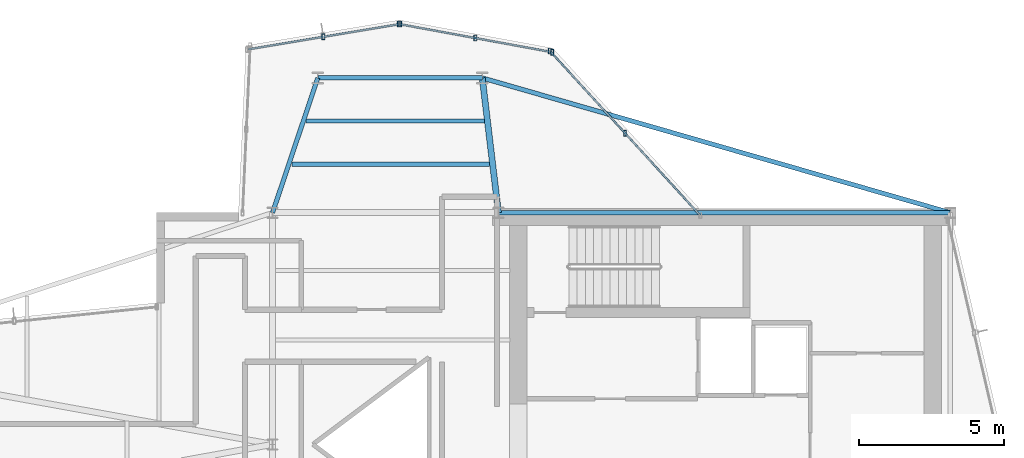
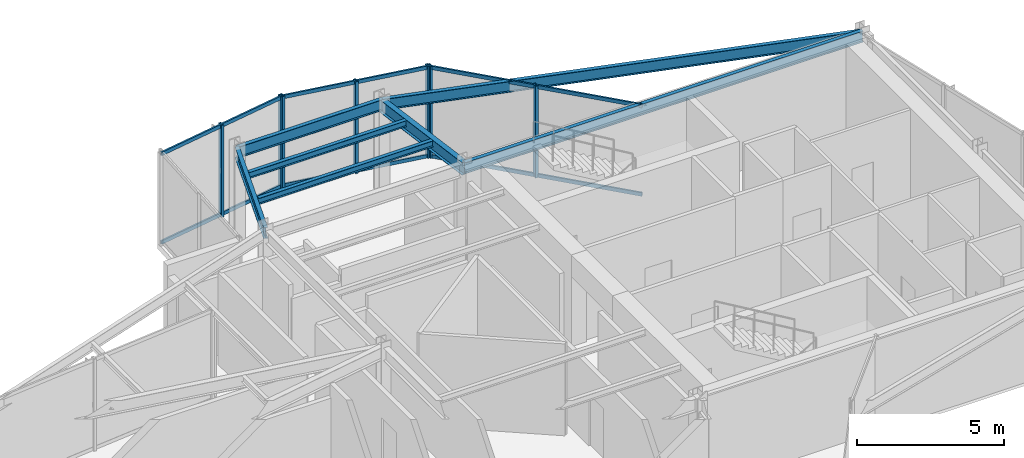
# One storey, part 6 of 14: 13 members, 7 beams, 3 elements without a shape of their own.
"""IFC4 building model written with IfcOpenShell, lengths in metres."""

from ifc_helpers import new_model, si_unit, direction, frame, origin, origin_2d, place, context, subcontext, project, spatial, hollow_rectangle, i_section, extrude, material, layer, layer_set, material_profile, profile_set, type_object, element, aggregate, save


model = new_model("IFC4")

# Units and contexts
model_context = context("Model", 3, precision=1e-05, world=origin(), true_north=direction((0.0, 1.0)))
body_context = subcontext(model_context, "Body", "Model", "MODEL_VIEW")
ifc_project = project(units=[si_unit("LENGTHUNIT", "METRE"), si_unit("AREAUNIT", "SQUARE_METRE"), si_unit("VOLUMEUNIT", "CUBIC_METRE"), si_unit("PLANEANGLEUNIT", "RADIAN"), si_unit("MASSUNIT", "GRAM", prefix="KILO")], contexts=[model_context])

# Site, building, storey
site_placement = place(None, origin())
site = spatial("IfcSite", under=ifc_project, at=site_placement, CompositionType="ELEMENT")
building_placement = place(site_placement, origin())
building = spatial("IfcBuilding", under=site, at=building_placement, Name="Veymaron Broadcast Tower", CompositionType="ELEMENT")
storey_placement = place(building_placement, frame((0.0, 0.0, 283.050048828125)))
storey = spatial("IfcBuildingStorey", under=building, at=storey_placement, Name="L66", CompositionType="ELEMENT", Elevation=283.050048828125)

# Beams
ifc_material_1 = material(Name="Structural steel ASTM A992 Gr 50", Category="steel")
ifc_material_profile_1 = material_profile(ifc_material_1, i_section(OverallWidth=0.208984375, OverallDepth=0.528076171875, WebThickness=0.009521484375, FlangeThickness=0.01318359375, at=origin_2d()), Name="W530X82")
ifc_profile_set_1 = profile_set([ifc_material_profile_1], Name="Structural steel ASTM A992 Gr 50")
beam_type_1 = type_object("IfcBeamType", Name="BM-FG4", PredefinedType="BEAM", material=ifc_profile_set_1)
beam_1_placement = place(storey_placement, frame((39.0, 32.0, 3.5458984375), z_axis=(-0.119114400744, 0.992880536387, 0.0), x_axis=(-0.992880536387, -0.119114400744, 0.0)))
element("IfcBeam", 1, at=beam_1_placement, inside=storey, type_object=beam_type_1, Name="L66 primary structural floor girder", PredefinedType="BEAM", context=body_context, shape_type="SweptSolid", body=[
    extrude(i_section(OverallWidth=0.208984375, OverallDepth=0.528076171875, WebThickness=0.009521484375, FlangeThickness=0.01318359375, at=origin_2d()), origin(), (0.0, 0.0, 1.0), 4.685546875),
])
ifc_material_profile_2 = material_profile(ifc_material_1, i_section(OverallWidth=0.14599609375, OverallDepth=0.258056640625, WebThickness=0.006103515625, FlangeThickness=0.009033203125, at=origin_2d()), Name="W250X33")
ifc_profile_set_2 = profile_set([ifc_material_profile_2], Name="Structural steel ASTM A992 Gr 50")
beam_type_2 = type_object("IfcBeamType", Name="BM-JS4", PredefinedType="JOIST", material=ifc_profile_set_2)
beam_2_placement = place(storey_placement, frame((31.862548828125, 33.6748046875, 3.680908203125), z_axis=(1.0, 0.0, 0.0), x_axis=(0.0, 1.0, 0.0)))
element("IfcBeam", 2, at=beam_2_placement, inside=storey, type_object=beam_type_2, Name="L66 Arm-B secondary joist 1", PredefinedType="JOIST", context=body_context, shape_type="SweptSolid", body=[
    extrude(i_section(OverallWidth=0.14599609375, OverallDepth=0.258056640625, WebThickness=0.006103515625, FlangeThickness=0.009033203125, at=origin_2d()), origin(), (0.0, 0.0, 1.0), 6.836669921875),
])
beam_3_placement = place(storey_placement, frame((32.3623046875, 35.163330078125, 3.680908203125), z_axis=(1.0, 0.0, 0.0), x_axis=(0.0, 1.0, 0.0)))
element("IfcBeam", 3, at=beam_3_placement, inside=storey, type_object=beam_type_2, Name="L66 Arm-B secondary joist 2", PredefinedType="JOIST", context=body_context, shape_type="SweptSolid", body=[
    extrude(i_section(OverallWidth=0.14599609375, OverallDepth=0.258056640625, WebThickness=0.006103515625, FlangeThickness=0.009033203125, at=origin_2d()), origin(), (0.0, 0.0, 1.0), 6.158203125),
])
ifc_material_profile_3 = material_profile(ifc_material_1, i_section(OverallWidth=0.154052734375, OverallDepth=0.458984375, WebThickness=0.009033203125, FlangeThickness=0.015380859375, at=origin_2d()), Name="W460X68")
ifc_profile_set_3 = profile_set([ifc_material_profile_3], Name="Structural steel ASTM A992 Gr 50")
beam_type_3 = type_object("IfcBeamType", Name="BM-SP2", PredefinedType="SPANDREL", material=ifc_profile_set_3)
beam_4_placement = place(storey_placement, frame((39.0, 32.0, 3.58056640625), z_axis=(1.0, 0.0, 0.0), x_axis=(0.0, 1.0, 0.0)))
element("IfcBeam", 4, at=beam_4_placement, inside=storey, type_object=beam_type_3, Name="L66 primary structural floor girder", PredefinedType="SPANDREL", context=body_context, shape_type="SweptSolid", body=[
    extrude(i_section(OverallWidth=0.154052734375, OverallDepth=0.458984375, WebThickness=0.009033203125, FlangeThickness=0.015380859375, at=origin_2d()), origin(), (0.0, 0.0, 1.0), 15.60009765625),
])
beam_5_placement = place(storey_placement, frame((31.199951171875, 32.0, 3.58056640625), z_axis=(0.318391007143, 0.947959475173, 0.0), x_axis=(-0.947959475173, 0.318391007143, 0.0)))
element("IfcBeam", 5, at=beam_5_placement, inside=storey, type_object=beam_type_3, Name="L66 primary structural floor girder", PredefinedType="SPANDREL", context=body_context, shape_type="SweptSolid", body=[
    extrude(i_section(OverallWidth=0.154052734375, OverallDepth=0.458984375, WebThickness=0.009033203125, FlangeThickness=0.015380859375, at=origin_2d()), origin(), (0.0, 0.0, 1.0), 4.907470703125),
])
beam_6_placement = place(storey_placement, frame((54.60009765625, 32.0, 3.58056640625), z_axis=(-0.960964746108, 0.276670845478, 0.0), x_axis=(-0.276670845478, -0.960964746108, 0.0)))
element("IfcBeam", 6, at=beam_6_placement, inside=storey, type_object=beam_type_3, Name="L66 primary structural floor girder", PredefinedType="SPANDREL", context=body_context, shape_type="SweptSolid", body=[
    extrude(i_section(OverallWidth=0.154052734375, OverallDepth=0.458984375, WebThickness=0.009033203125, FlangeThickness=0.015380859375, at=origin_2d()), origin(), (0.0, 0.0, 1.0), 16.814453125),
])
beam_7_placement = place(storey_placement, frame((32.762451171875, 36.652099609375, 3.58056640625), z_axis=(1.0, 0.0, 0.0), x_axis=(0.0, 1.0, 0.0)))
element("IfcBeam", 7, at=beam_7_placement, inside=storey, type_object=beam_type_3, Name="L66 primary structural floor girder", PredefinedType="SPANDREL", context=body_context, shape_type="SweptSolid", body=[
    extrude(i_section(OverallWidth=0.154052734375, OverallDepth=0.458984375, WebThickness=0.009033203125, FlangeThickness=0.015380859375, at=origin_2d()), origin(), (0.0, 0.0, 1.0), 5.679443359375),
])

# Curtain wall, members
ifc_material_2 = material(Name="Anodised aluminium AA 6063-T6 and laminated low-E dark glass", Category="aluminium")
ifc_layer = layer(ifc_material_2, 0.179931640625)
ifc_layer_set = layer_set([ifc_layer], Name="Anodised aluminium AA 6063-T6 and laminated low-E dark glass")
curtain_wall_type = type_object("IfcCurtainWallType", Name="CW-SYS-06", PredefinedType="NOTDEFINED", material=ifc_layer_set)
curtain_wall_1_placement = place(storey_placement, origin())
curtain_wall_1 = element("IfcCurtainWall", 8, at=curtain_wall_1_placement, inside=storey, type_object=curtain_wall_type, Name="L66 dark-glass curtain wall CW-L66-E5-1", PredefinedType="NOTDEFINED")
ifc_material_3 = material(Name="Anodised aluminium AA 6063-T6", Category="aluminium")
ifc_material_profile_4 = material_profile(ifc_material_3, hollow_rectangle(XDim=0.10009765625, YDim=0.199951171875, WallThickness=0.010009765625, at=origin_2d()), Name="RHS200X100X10")
ifc_profile_set_4 = profile_set([ifc_material_profile_4], Name="Anodised aluminium AA 6063-T6")
member_type_1 = type_object("IfcMemberType", Name="CW-MUL-01", PredefinedType="MULLION", material=ifc_profile_set_4)
member_1_placement = place(storey_placement, frame((43.3701171875, 34.74609375, 0.0), z_axis=(0.0, 0.0, 1.0), x_axis=(1.0, 0.0, 0.0)))
member_1 = element("IfcMember", 9, at=member_1_placement, type_object=member_type_1, Name="CW-L66-E5-1 mullion 1", PredefinedType="MULLION", context=body_context, shape_type="SweptSolid", body=[
    extrude(hollow_rectangle(XDim=0.10009765625, YDim=0.199951171875, WallThickness=0.010009765625, at=origin_2d()), origin(), (0.0, 0.0, 1.0), 3.81005859375),
])
member_2_placement = place(storey_placement, frame((40.7744140625, 37.58642578125, 0.0), z_axis=(0.0, 0.0, 1.0), x_axis=(1.0, 0.0, 0.0)))
member_2 = element("IfcMember", 10, at=member_2_placement, type_object=member_type_1, Name="CW-L66-E5-1 mullion 2", PredefinedType="MULLION", context=body_context, shape_type="SweptSolid", body=[
    extrude(hollow_rectangle(XDim=0.10009765625, YDim=0.199951171875, WallThickness=0.010009765625, at=origin_2d()), origin(), (0.0, 0.0, 1.0), 3.81005859375),
])

curtain_wall_2_placement = place(storey_placement, origin())
curtain_wall_2 = element("IfcCurtainWall", 11, at=curtain_wall_2_placement, inside=storey, type_object=curtain_wall_type, Name="L66 dark-glass curtain wall CW-L66-E6-1", PredefinedType="NOTDEFINED")
member_3_placement = place(storey_placement, frame((40.852294921875, 37.543212890625, 0.0), z_axis=(0.0, 0.0, 1.0), x_axis=(1.0, 0.0, 0.0)))
member_3 = element("IfcMember", 12, at=member_3_placement, type_object=member_type_1, Name="CW-L66-E6-1 mullion 0", PredefinedType="MULLION", context=body_context, shape_type="SweptSolid", body=[
    extrude(hollow_rectangle(XDim=0.10009765625, YDim=0.199951171875, WallThickness=0.010009765625, at=origin_2d()), origin(), (0.0, 0.0, 1.0), 3.81005859375),
])
member_4_placement = place(storey_placement, frame((38.2041015625, 38.029296875, 0.0), z_axis=(0.0, 0.0, 1.0), x_axis=(1.0, 0.0, 0.0)))
member_4 = element("IfcMember", 13, at=member_4_placement, type_object=member_type_1, Name="CW-L66-E6-1 mullion 1", PredefinedType="MULLION", context=body_context, shape_type="SweptSolid", body=[
    extrude(hollow_rectangle(XDim=0.10009765625, YDim=0.199951171875, WallThickness=0.010009765625, at=origin_2d()), origin(), (0.0, 0.0, 1.0), 3.81005859375),
])
member_5_placement = place(storey_placement, frame((35.555908203125, 38.515380859375, 0.0), z_axis=(0.0, 0.0, 1.0), x_axis=(1.0, 0.0, 0.0)))
member_5 = element("IfcMember", 14, at=member_5_placement, type_object=member_type_1, Name="CW-L66-E6-1 mullion 2", PredefinedType="MULLION", context=body_context, shape_type="SweptSolid", body=[
    extrude(hollow_rectangle(XDim=0.10009765625, YDim=0.199951171875, WallThickness=0.010009765625, at=origin_2d()), origin(), (0.0, 0.0, 1.0), 3.81005859375),
])

curtain_wall_3_placement = place(storey_placement, origin())
curtain_wall_3 = element("IfcCurtainWall", 15, at=curtain_wall_3_placement, inside=storey, type_object=curtain_wall_type, Name="L66 dark-glass curtain wall CW-L66-E7-1", PredefinedType="NOTDEFINED")
member_6_placement = place(storey_placement, frame((35.604248046875, 38.51513671875, 0.0), z_axis=(0.0, 0.0, 1.0), x_axis=(1.0, 0.0, 0.0)))
member_6 = element("IfcMember", 16, at=member_6_placement, type_object=member_type_1, Name="CW-L66-E7-1 mullion 0", PredefinedType="MULLION", context=body_context, shape_type="SweptSolid", body=[
    extrude(hollow_rectangle(XDim=0.10009765625, YDim=0.199951171875, WallThickness=0.010009765625, at=origin_2d()), origin(), (0.0, 0.0, 1.0), 3.81005859375),
])
member_7_placement = place(storey_placement, frame((32.9560546875, 38.072998046875, 0.0), z_axis=(0.0, 0.0, 1.0), x_axis=(1.0, 0.0, 0.0)))
member_7 = element("IfcMember", 17, at=member_7_placement, type_object=member_type_1, Name="CW-L66-E7-1 mullion 1", PredefinedType="MULLION", context=body_context, shape_type="SweptSolid", body=[
    extrude(hollow_rectangle(XDim=0.10009765625, YDim=0.199951171875, WallThickness=0.010009765625, at=origin_2d()), origin(), (0.0, 0.0, 1.0), 3.81005859375),
])

# Member
ifc_material_profile_5 = material_profile(ifc_material_3, hollow_rectangle(XDim=0.06494140625, YDim=0.14990234375, WallThickness=0.00390625, at=origin_2d()), Name="AL150X65X4")
ifc_profile_set_5 = profile_set([ifc_material_profile_5], Name="Anodised aluminium AA 6063-T6")
member_type_2 = type_object("IfcMemberType", Name="CW-TRN-01", PredefinedType="USERDEFINED", material=ifc_profile_set_5)
member_8_placement = place(storey_placement, frame((45.931884765625, 31.9423828125, 0.070068359375), z_axis=(-0.674569589879, 0.738211262722, 0.0), x_axis=(-0.738211262722, -0.674569589879, 0.0)))
member_8 = element("IfcMember", 18, at=member_8_placement, type_object=member_type_2, Name="CW-L66-E5-1 transom B", ObjectType="TRANSOM", PredefinedType="USERDEFINED", context=body_context, shape_type="SweptSolid", body=[
    extrude(hollow_rectangle(XDim=0.06494140625, YDim=0.14990234375, WallThickness=0.00390625, at=origin_2d()), origin(), (0.0, 0.0, 1.0), 7.595703125),
])

member_9_placement = place(storey_placement, frame((45.931884765625, 31.9423828125, 3.739990234375), z_axis=(-0.674569589879, 0.738211262722, 0.0), x_axis=(-0.738211262722, -0.674569589879, 0.0)))
member_9 = element("IfcMember", 19, at=member_9_placement, type_object=member_type_2, Name="CW-L66-E5-1 transom T", ObjectType="TRANSOM", PredefinedType="USERDEFINED", context=body_context, shape_type="SweptSolid", body=[
    extrude(hollow_rectangle(XDim=0.06494140625, YDim=0.14990234375, WallThickness=0.00390625, at=origin_2d()), origin(), (0.0, 0.0, 1.0), 7.595703125),
])

aggregate(curtain_wall_1, [member_1, member_2, member_8, member_9])

member_10_placement = place(storey_placement, frame((40.802978515625, 37.552001953125, 0.070068359375), z_axis=(-0.983552023681, 0.180625072218, 0.0), x_axis=(-0.180625072218, -0.983552023681, 0.0)))
member_10 = element("IfcMember", 20, at=member_10_placement, type_object=member_type_2, Name="CW-L66-E6-1 transom B", ObjectType="TRANSOM", PredefinedType="USERDEFINED", context=body_context, shape_type="SweptSolid", body=[
    extrude(hollow_rectangle(XDim=0.06494140625, YDim=0.14990234375, WallThickness=0.00390625, at=origin_2d()), origin(), (0.0, 0.0, 1.0), 5.284912109375),
])

member_11_placement = place(storey_placement, frame((40.802978515625, 37.552001953125, 3.739990234375), z_axis=(-0.983552023681, 0.180625072218, 0.0), x_axis=(-0.180625072218, -0.983552023681, 0.0)))
member_11 = element("IfcMember", 21, at=member_11_placement, type_object=member_type_2, Name="CW-L66-E6-1 transom T", ObjectType="TRANSOM", PredefinedType="USERDEFINED", context=body_context, shape_type="SweptSolid", body=[
    extrude(hollow_rectangle(XDim=0.06494140625, YDim=0.14990234375, WallThickness=0.00390625, at=origin_2d()), origin(), (0.0, 0.0, 1.0), 5.284912109375),
])

aggregate(curtain_wall_2, [member_3, member_4, member_5, member_10, member_11])

member_12_placement = place(storey_placement, frame((35.554931640625, 38.5068359375, 0.070068359375), z_axis=(-0.986358841104, -0.164609345347, 0.0), x_axis=(0.164609345347, -0.986358841104, 0.0)))
member_12 = element("IfcMember", 22, at=member_12_placement, type_object=member_type_2, Name="CW-L66-E7-1 transom B", ObjectType="TRANSOM", PredefinedType="USERDEFINED", context=body_context, shape_type="SweptSolid", body=[
    extrude(hollow_rectangle(XDim=0.06494140625, YDim=0.14990234375, WallThickness=0.00390625, at=origin_2d()), origin(), (0.0, 0.0, 1.0), 5.26953125),
])

member_13_placement = place(storey_placement, frame((35.554931640625, 38.5068359375, 3.739990234375), z_axis=(-0.986358841104, -0.164609345347, 0.0), x_axis=(0.164609345347, -0.986358841104, 0.0)))
member_13 = element("IfcMember", 23, at=member_13_placement, type_object=member_type_2, Name="CW-L66-E7-1 transom T", ObjectType="TRANSOM", PredefinedType="USERDEFINED", context=body_context, shape_type="SweptSolid", body=[
    extrude(hollow_rectangle(XDim=0.06494140625, YDim=0.14990234375, WallThickness=0.00390625, at=origin_2d()), origin(), (0.0, 0.0, 1.0), 5.26953125),
])

aggregate(curtain_wall_3, [member_6, member_7, member_12, member_13])

save(model, "model.ifc")
